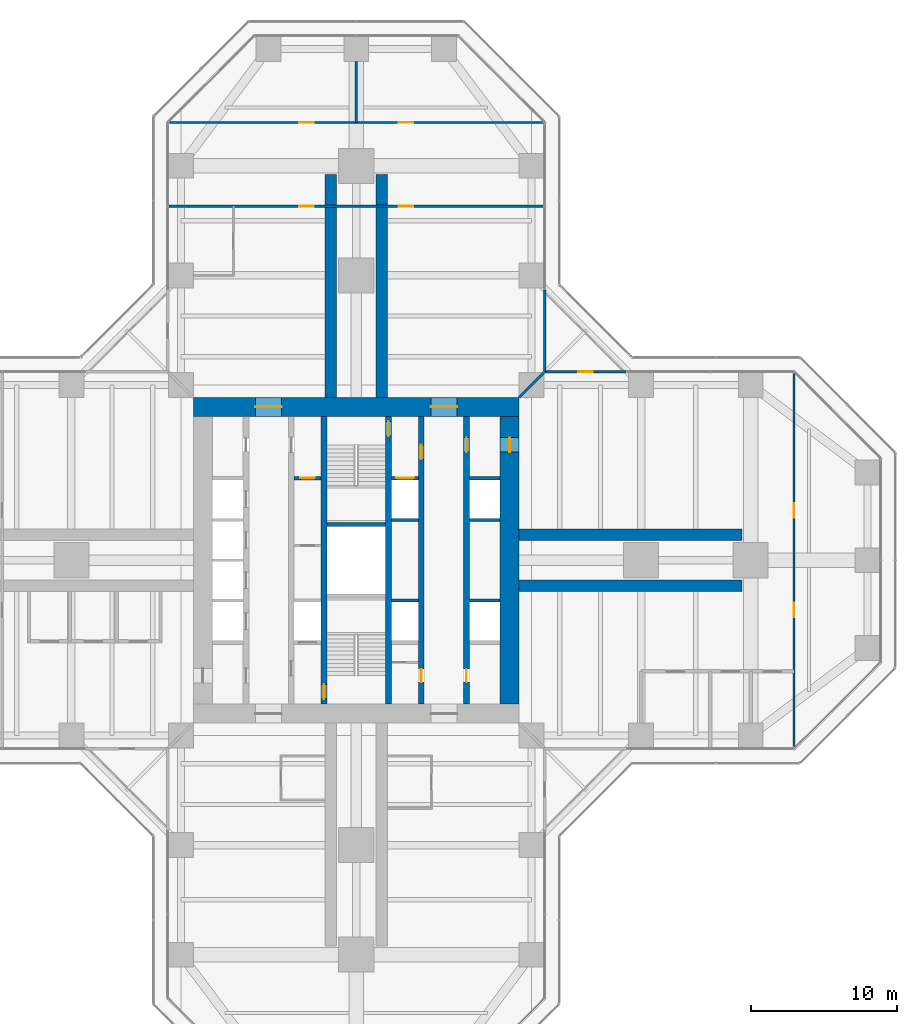
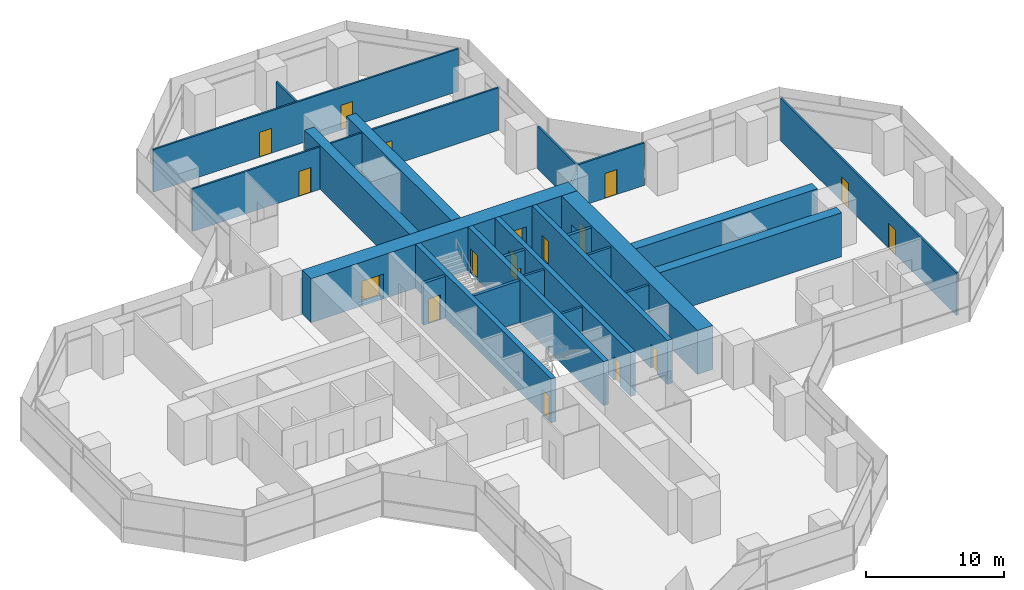
# One storey, part 19 of 22: 25 walls, 18 doors, 18 openings.
"""IFC4 building model written with IfcOpenShell, lengths in metres."""

import ifcopenshell
import ifcopenshell.guid

model = None  # the IFC model being written
_history = None  # IfcOwnerHistory: only IFC2X3 demands one
_inside = {}  # id of a spatial element -> (the spatial element, [elements in it])
_under = {}  # id of a project, library or spatial element -> (it, [spatial elements below it])
_declared = {}  # id of a project -> (the project, [libraries it declares])
_typed = {}  # id of a type object -> (the type object, [elements of that type])
_made_of = {}  # id of a material, layer set ... -> (it, [elements and type objects made of it])


def new_model(schema):
    """Start an empty IFC model of exactly this schema.

    Asked for "IFC4X3", IfcOpenShell would pick the latest addendum, in which some entities
    have other attributes; the version numbers below select the first issue.
    IFC2X3 requires an IfcOwnerHistory on every rooted entity: one is made here for all.
    """
    global model, _history
    if schema == "IFC4X3":
        model = ifcopenshell.file(schema_version=(4, 3, 0, 0))
    else:
        model = ifcopenshell.file(schema=schema)
    _inside.clear()
    _under.clear()
    _declared.clear()
    _typed.clear()
    _made_of.clear()
    _history = None
    if model.schema == "IFC2X3":
        org = make("IfcOrganization", Name="unknown")
        user = make(
            "IfcPersonAndOrganization",
            ThePerson=make("IfcPerson", FamilyName="unknown"),
            TheOrganization=org,
        )
        app = make(
            "IfcApplication",
            ApplicationDeveloper=org,
            Version="unknown",
            ApplicationFullName="unknown",
            ApplicationIdentifier="unknown",
        )
        _history = make(
            "IfcOwnerHistory",
            OwningUser=user,
            OwningApplication=app,
            ChangeAction="ADDED",
            CreationDate=0,
        )
    return model


def make(cls, **values):
    """One entity of the class cls with the attributes given. An attribute that is None is left unset."""
    return model.create_entity(
        cls, **{name: value for name, value in values.items() if value is not None}
    )


def rooted(cls, **values):
    """An entity with a GlobalId (a new one), such as an element, a storey or a relation."""
    return make(cls, GlobalId=ifcopenshell.guid.new(), OwnerHistory=_history, **values)


def si_unit(unit_type, name, prefix=None):
    """IfcSIUnit, for example si_unit("LENGTHUNIT", "METRE", prefix="MILLI")."""
    return make("IfcSIUnit", UnitType=unit_type, Prefix=prefix, Name=name)


def assignment(units):
    """IfcUnitAssignment: the units of a project."""
    return None if units is None else make("IfcUnitAssignment", Units=units)


def point(xyz):
    """IfcCartesianPoint."""
    return None if xyz is None else make("IfcCartesianPoint", Coordinates=xyz)


def direction(xyz):
    """IfcDirection."""
    return None if xyz is None else make("IfcDirection", DirectionRatios=xyz)


def frame(location, z_axis=None, x_axis=None):
    """IfcAxis2Placement3D, a coordinate frame: its origin and axes. An axis left out is left unset."""
    return make(
        "IfcAxis2Placement3D",
        Location=point(location),
        Axis=direction(z_axis),
        RefDirection=direction(x_axis),
    )


def frame_2d(location, x_axis=None):
    """IfcAxis2Placement2D, a coordinate frame in the plane: its origin and x axis."""
    return make(
        "IfcAxis2Placement2D", Location=point(location), RefDirection=direction(x_axis)
    )


def origin():
    """The frame at (0, 0, 0) with its axes left unset."""
    return frame((0.0, 0.0, 0.0))


def place(relative_to, where):
    """IfcLocalPlacement: puts the frame where relative to a parent placement (None: the world)."""
    return make(
        "IfcLocalPlacement", PlacementRelTo=relative_to, RelativePlacement=where
    )


def context(
    kind, dimensions, precision=None, world=None, true_north=None, identifier=None
):
    """IfcGeometricRepresentationContext, for example the 3D "Model" context."""
    return make(
        "IfcGeometricRepresentationContext",
        ContextIdentifier=identifier,
        ContextType=kind,
        CoordinateSpaceDimension=dimensions,
        Precision=precision,
        WorldCoordinateSystem=world,
        TrueNorth=true_north,
    )


def subcontext(parent, identifier, kind, view, scale=None):
    """IfcGeometricRepresentationSubContext, for example "Body" below "Model"."""
    return make(
        "IfcGeometricRepresentationSubContext",
        ContextIdentifier=identifier,
        ContextType=kind,
        ParentContext=parent,
        TargetScale=scale,
        TargetView=view,
    )


def project(units=None, contexts=None):
    """IfcProject with its units and contexts."""
    return rooted(
        "IfcProject",
        Name="project",
        RepresentationContexts=contexts,
        UnitsInContext=assignment(units),
    )


def spatial(cls, under=None, at=None, **own):
    """A site, building, storey or space (cls), placed at a placement, below another one or the project."""
    s = rooted(cls, ObjectPlacement=at, **own)
    if under is not None:
        _under.setdefault(under.id(), (under, []))[1].append(s)
    return s


def profile(cls, at=None, kind="AREA", **sizes):
    """A parametric profile (cls). Its sizes go by their IFC names, for example OverallWidth=200.0."""
    return make(cls, ProfileType=kind, Position=at, **sizes)


def rectangle(**sizes):
    """IfcRectangleProfileDef."""
    return profile("IfcRectangleProfileDef", **sizes)


def extrude(swept, where, along, depth):
    """IfcExtrudedAreaSolid: the profile swept, set in the frame where, extruded along a direction by depth."""
    return make(
        "IfcExtrudedAreaSolid",
        SweptArea=swept,
        Position=where,
        ExtrudedDirection=direction(along),
        Depth=depth,
    )


def shape(context_of_items, identifier, shape_type, items):
    """IfcShapeRepresentation: the items that make up one representation, for example the "Body"."""
    return make(
        "IfcShapeRepresentation",
        ContextOfItems=context_of_items,
        RepresentationIdentifier=identifier,
        RepresentationType=shape_type,
        Items=items,
    )


def material(Name=None, Category=None):
    """IfcMaterial."""
    return make("IfcMaterial", Name=Name, Category=Category)


def layer(
    of_material, thickness, ventilated=None, Name=None, Category=None, Priority=None
):
    """IfcMaterialLayer: one layer of a wall or slab, of a material (None: an air gap)."""
    return make(
        "IfcMaterialLayer",
        Material=of_material,
        LayerThickness=thickness,
        IsVentilated=ventilated,
        Name=Name,
        Category=Category,
        Priority=Priority,
    )


def layer_set(layers, Name=None):
    """IfcMaterialLayerSet."""
    return make("IfcMaterialLayerSet", MaterialLayers=layers, LayerSetName=Name)


def made_of(thing, what):
    """Note that an element or type object is made of a material, layer set ...; save() writes the relation."""
    if what is not None:
        _made_of.setdefault(what.id(), (what, []))[1].append(thing)
    return thing


def type_object(cls, material=None, **own):
    """A type object (cls), such as IfcWallType, which elements share."""
    return made_of(rooted(cls, **own), material)


def element(
    cls,
    number,
    at=None,
    inside=None,
    cuts=None,
    type_object=None,
    material=None,
    context=None,
    identifier="Body",
    shape_type=None,
    held_by="IfcProductDefinitionShape",
    body=None,
    shapes=None,
    **own,
):
    """One element of the class cls, such as IfcWall. Its Tag is "e" and its number.

    at: its placement. inside: the storey or other place that contains it. cuts: it is an
    opening in that element (IfcRelVoidsElement). A single representation is given by context,
    identifier, shape_type and body (its items); several are given by shapes. held_by: the class
    of the entity that holds the representations. save() writes the other relations.
    """
    e = rooted(cls, Tag="e%d" % number, ObjectPlacement=at, **own)
    if body is not None:
        shapes = [shape(context, identifier, shape_type, body)]
    if shapes is not None:
        e.Representation = make(held_by, Representations=shapes)
    if inside is not None:
        _inside.setdefault(inside.id(), (inside, []))[1].append(e)
    if cuts is not None:
        rooted(
            "IfcRelVoidsElement", RelatingBuildingElement=cuts, RelatedOpeningElement=e
        )
    if type_object is not None:
        _typed.setdefault(type_object.id(), (type_object, []))[1].append(e)
    return made_of(e, material)


def fill(opening, filler):
    """IfcRelFillsElement: the door or window that sits in an opening."""
    return rooted(
        "IfcRelFillsElement",
        RelatingOpeningElement=opening,
        RelatedBuildingElement=filler,
    )


def aggregate(whole, parts):
    """IfcRelAggregates: a whole, such as a stair, and the parts it consists of."""
    return rooted("IfcRelAggregates", RelatingObject=whole, RelatedObjects=parts)


def save(model, path):
    """Write the relations noted so far, then the file.

    IfcRelAggregates (storeys below a building ...), IfcRelContainedInSpatialStructure (elements
    in a storey), IfcRelDefinesByType, IfcRelAssociatesMaterial and IfcRelDeclares: one each for
    every whole, place, type object, material and project.
    """
    for whole, parts in _under.values():
        aggregate(whole, parts)
    for where, things in _inside.values():
        rooted(
            "IfcRelContainedInSpatialStructure",
            RelatedElements=things,
            RelatingStructure=where,
        )
    for kind, things in _typed.values():
        rooted("IfcRelDefinesByType", RelatedObjects=things, RelatingType=kind)
    for what, things in _made_of.values():
        rooted("IfcRelAssociatesMaterial", RelatedObjects=things, RelatingMaterial=what)
    for by, libraries in _declared.values():
        rooted("IfcRelDeclares", RelatingContext=by, RelatedDefinitions=libraries)
    model.write(path)


model = new_model("IFC4")

# Units and contexts
model_context = context("Model", 3, precision=1e-05, world=origin(), true_north=direction((0.0, 1.0)))
body_context = subcontext(model_context, "Body", "Model", "MODEL_VIEW")
ifc_project = project(units=[si_unit("LENGTHUNIT", "METRE"), si_unit("AREAUNIT", "SQUARE_METRE"), si_unit("VOLUMEUNIT", "CUBIC_METRE"), si_unit("PLANEANGLEUNIT", "RADIAN"), si_unit("MASSUNIT", "GRAM", prefix="KILO")], contexts=[model_context])

# Site, building, storey
site_placement = place(None, origin())
site = spatial("IfcSite", under=ifc_project, at=site_placement, CompositionType="ELEMENT")
building_placement = place(site_placement, origin())
building = spatial("IfcBuilding", under=site, at=building_placement, Name="Mizan Broadcast Tower", CompositionType="ELEMENT")
storey_placement = place(building_placement, frame((0.0, 0.0, 47.39990234375)))
storey = spatial("IfcBuildingStorey", under=building, at=storey_placement, Name="L08", CompositionType="ELEMENT", Elevation=47.39990234375)

# Wall, openings, doors
ifc_material_1 = material(Name="Concrete C70/85", Category="concrete")
ifc_layer_1 = layer(ifc_material_1, 0.39990234375)
ifc_layer_set_1 = layer_set([ifc_layer_1], Name="Concrete C70/85")
wall_type_1 = type_object("IfcWallType", Name="CORE INTERNAL WALL 400", PredefinedType="SHEAR", material=ifc_layer_set_1)
wall_1_placement = place(storey_placement, frame((7.550048828125, 9.85009765625, 0.0), z_axis=(0.0, 0.0, 1.0), x_axis=(0.0, -1.0, 0.0)))
wall_1 = element("IfcWall", 1, at=wall_1_placement, inside=storey, type_object=wall_type_1, Name="Core wall CORE/XW1E", PredefinedType="SHEAR", context=body_context, shape_type="SweptSolid", body=[
    extrude(rectangle(XDim=19.7001953125, YDim=0.39990234375, at=frame_2d((9.85009765625, 0.0))), origin(), (0.0, 0.0, 1.0), 3.900146484375),
])
opening_1_placement = place(wall_1_placement, frame((1.449951171875, 0.0, 0.0)))
opening_1 = element("IfcOpeningElement", 2, at=opening_1_placement, cuts=wall_1, Name="Opening D10F", PredefinedType="OPENING", context=body_context, shape_type="SweptSolid", body=[
    extrude(rectangle(XDim=1.0, YDim=2.199951171875, at=frame_2d((0.5, 1.10009765625))), frame((0.0, 0.2099609375, 0.0), z_axis=(0.0, -1.0, 0.0), x_axis=(1.0, 0.0, 0.0)), (0.0, 0.0, 1.0), 0.419921875),
])
opening_2_placement = place(wall_1_placement, frame((17.300048828125, 0.0, 0.0)))
opening_2 = element("IfcOpeningElement", 3, at=opening_2_placement, cuts=wall_1, Name="Opening D09", PredefinedType="OPENING", context=body_context, shape_type="SweptSolid", body=[
    extrude(rectangle(XDim=0.89990234375, YDim=2.10009765625, at=frame_2d((0.449951171875, 1.050048828125))), frame((0.0, 0.2099609375, 0.0), z_axis=(0.0, -1.0, 0.0), x_axis=(1.0, 0.0, 0.0)), (0.0, 0.0, 1.0), 0.419921875),
])
ifc_material_2 = material(Name="Steel door leaf in steel frame", Category="steel")
door_type_1 = type_object("IfcDoorType", Name="FIRE DOOR 1000 FD90", OperationType="SINGLE_SWING_LEFT", PredefinedType="DOOR", material=ifc_material_2)
door_1_placement = place(opening_1_placement, origin())
door_1 = element("IfcDoor", 4, at=door_1_placement, inside=storey, type_object=door_type_1, Name="East core passage door", OperationType="SINGLE_SWING_LEFT", OverallHeight=2.199951171875, OverallWidth=1.0, PredefinedType="DOOR", context=body_context, shape_type="SweptSolid", body=[
    extrude(rectangle(XDim=1.0, YDim=2.199951171875, at=frame_2d((0.5, 1.10009765625))), frame((0.0, 0.02490234375, 0.0), z_axis=(0.0, -1.0, 0.0), x_axis=(1.0, 0.0, 0.0)), (0.0, 0.0, 1.0), 0.050048828125),
])
fill(opening_1, door_1)
ifc_material_3 = material(Name="Timber door leaf in aluminium frame", Category="wood")
door_type_2 = type_object("IfcDoorType", Name="TOILET DOOR 900", OperationType="SINGLE_SWING_LEFT", PredefinedType="DOOR", material=ifc_material_3)
door_2_placement = place(opening_2_placement, origin())
door_2 = element("IfcDoor", 5, at=door_2_placement, inside=storey, type_object=door_type_2, Name="Female WC door", OperationType="SINGLE_SWING_RIGHT", OverallHeight=2.10009765625, OverallWidth=0.89990234375, PredefinedType="DOOR", context=body_context, shape_type="SweptSolid", body=[
    extrude(rectangle(XDim=0.89990234375, YDim=2.10009765625, at=frame_2d((0.449951171875, 1.050048828125))), frame((0.0, 0.02490234375, 0.0), z_axis=(0.0, -1.0, 0.0), x_axis=(1.0, 0.0, 0.0)), (0.0, 0.0, 1.0), 0.050048828125),
])
fill(opening_2, door_2)

wall_2_placement = place(storey_placement, frame((4.449951171875, 9.85009765625, 0.0), z_axis=(0.0, 0.0, 1.0), x_axis=(0.0, -1.0, 0.0)))
wall_2 = element("IfcWall", 6, at=wall_2_placement, inside=storey, type_object=wall_type_1, Name="Core wall CORE/XWHE", PredefinedType="SHEAR", context=body_context, shape_type="SweptSolid", body=[
    extrude(rectangle(XDim=19.7001953125, YDim=0.39990234375, at=frame_2d((9.85009765625, 0.0))), origin(), (0.0, 0.0, 1.0), 3.900146484375),
])
opening_3_placement = place(wall_2_placement, frame((1.949951171875, 0.0, 0.0)))
opening_3 = element("IfcOpeningElement", 7, at=opening_3_placement, cuts=wall_2, Name="Opening D10F", PredefinedType="OPENING", context=body_context, shape_type="SweptSolid", body=[
    extrude(rectangle(XDim=1.0, YDim=2.199951171875, at=frame_2d((0.5, 1.10009765625))), frame((0.0, 0.2099609375, 0.0), z_axis=(0.0, -1.0, 0.0), x_axis=(1.0, 0.0, 0.0)), (0.0, 0.0, 1.0), 0.419921875),
])
opening_4_placement = place(wall_2_placement, frame((17.300048828125, 0.0, 0.0)))
opening_4 = element("IfcOpeningElement", 8, at=opening_4_placement, cuts=wall_2, Name="Opening D09", PredefinedType="OPENING", context=body_context, shape_type="SweptSolid", body=[
    extrude(rectangle(XDim=0.89990234375, YDim=2.10009765625, at=frame_2d((0.449951171875, 1.050048828125))), frame((0.0, 0.2099609375, 0.0), z_axis=(0.0, -1.0, 0.0), x_axis=(1.0, 0.0, 0.0)), (0.0, 0.0, 1.0), 0.419921875),
])
door_3_placement = place(opening_3_placement, origin())
door_3 = element("IfcDoor", 9, at=door_3_placement, inside=storey, type_object=door_type_1, Name="Firefighting lobby B door", OperationType="SINGLE_SWING_LEFT", OverallHeight=2.199951171875, OverallWidth=1.0, PredefinedType="DOOR", context=body_context, shape_type="SweptSolid", body=[
    extrude(rectangle(XDim=1.0, YDim=2.199951171875, at=frame_2d((0.5, 1.10009765625))), frame((0.0, 0.02490234375, 0.0), z_axis=(0.0, -1.0, 0.0), x_axis=(1.0, 0.0, 0.0)), (0.0, 0.0, 1.0), 0.050048828125),
])
fill(opening_3, door_3)
door_4_placement = place(opening_4_placement, origin())
door_4 = element("IfcDoor", 10, at=door_4_placement, inside=storey, type_object=door_type_2, Name="Cleaner's store door", OperationType="SINGLE_SWING_RIGHT", OverallHeight=2.10009765625, OverallWidth=0.89990234375, PredefinedType="DOOR", context=body_context, shape_type="SweptSolid", body=[
    extrude(rectangle(XDim=0.89990234375, YDim=2.10009765625, at=frame_2d((0.449951171875, 1.050048828125))), frame((0.0, 0.02490234375, 0.0), z_axis=(0.0, -1.0, 0.0), x_axis=(1.0, 0.0, 0.0)), (0.0, 0.0, 1.0), 0.050048828125),
])
fill(opening_4, door_4)

# Wall, opening, door
wall_3_placement = place(storey_placement, frame((-2.199951171875, -9.85009765625, 0.0), z_axis=(0.0, 0.0, 1.0), x_axis=(0.0, 1.0, 0.0)))
wall_3 = element("IfcWall", 11, at=wall_3_placement, inside=storey, type_object=wall_type_1, Name="Core wall CORE/XW2", PredefinedType="SHEAR", context=body_context, shape_type="SweptSolid", body=[
    extrude(rectangle(XDim=19.7001953125, YDim=0.39990234375, at=frame_2d((9.85009765625, 0.0))), origin(), (0.0, 0.0, 1.0), 3.900146484375),
])
opening_5_placement = place(wall_3_placement, frame((0.35009765625, 0.0, 0.0)))
opening_5 = element("IfcOpeningElement", 12, at=opening_5_placement, cuts=wall_3, Name="Opening D10S", PredefinedType="OPENING", context=body_context, shape_type="SweptSolid", body=[
    extrude(rectangle(XDim=1.0, YDim=2.199951171875, at=frame_2d((0.5, 1.10009765625))), frame((0.0, 0.2099609375, 0.0), z_axis=(0.0, -1.0, 0.0), x_axis=(1.0, 0.0, 0.0)), (0.0, 0.0, 1.0), 0.419921875),
])
ifc_material_4 = material(Name="Steel door leaf in steel frame", Category="steel")
door_type_3 = type_object("IfcDoorType", Name="STAIR DOOR 1000 FD90S", OperationType="SINGLE_SWING_RIGHT", PredefinedType="DOOR", material=ifc_material_4)
door_5_placement = place(opening_5_placement, origin())
door_5 = element("IfcDoor", 13, at=door_5_placement, inside=storey, type_object=door_type_3, Name="Stair A door", OperationType="SINGLE_SWING_RIGHT", OverallHeight=2.199951171875, OverallWidth=1.0, PredefinedType="DOOR", context=body_context, shape_type="SweptSolid", body=[
    extrude(rectangle(XDim=1.0, YDim=2.199951171875, at=frame_2d((0.5, 1.10009765625))), frame((0.0, 0.02490234375, 0.0), z_axis=(0.0, -1.0, 0.0), x_axis=(1.0, 0.0, 0.0)), (0.0, 0.0, 1.0), 0.050048828125),
])
fill(opening_5, door_5)

wall_4_placement = place(storey_placement, frame((2.199951171875, 9.85009765625, 0.0), z_axis=(0.0, 0.0, 1.0), x_axis=(0.0, -1.0, 0.0)))
wall_4 = element("IfcWall", 14, at=wall_4_placement, inside=storey, type_object=wall_type_1, Name="Core wall CORE/XW2E", PredefinedType="SHEAR", context=body_context, shape_type="SweptSolid", body=[
    extrude(rectangle(XDim=19.7001953125, YDim=0.39990234375, at=frame_2d((9.85009765625, 0.0))), origin(), (0.0, 0.0, 1.0), 3.900146484375),
])
opening_6_placement = place(wall_4_placement, frame((0.35009765625, 0.0, 0.0)))
opening_6 = element("IfcOpeningElement", 15, at=opening_6_placement, cuts=wall_4, Name="Opening D10S", PredefinedType="OPENING", context=body_context, shape_type="SweptSolid", body=[
    extrude(rectangle(XDim=1.0, YDim=2.199951171875, at=frame_2d((0.5, 1.10009765625))), frame((0.0, 0.2099609375, 0.0), z_axis=(0.0, -1.0, 0.0), x_axis=(1.0, 0.0, 0.0)), (0.0, 0.0, 1.0), 0.419921875),
])
door_6_placement = place(opening_6_placement, origin())
door_6 = element("IfcDoor", 16, at=door_6_placement, inside=storey, type_object=door_type_3, Name="Stair B door", OperationType="SINGLE_SWING_RIGHT", OverallHeight=2.199951171875, OverallWidth=1.0, PredefinedType="DOOR", context=body_context, shape_type="SweptSolid", body=[
    extrude(rectangle(XDim=1.0, YDim=2.199951171875, at=frame_2d((0.5, 1.10009765625))), frame((0.0, 0.02490234375, 0.0), z_axis=(0.0, -1.0, 0.0), x_axis=(1.0, 0.0, 0.0)), (0.0, 0.0, 1.0), 0.050048828125),
])
fill(opening_6, door_6)

# Wall, openings, doors
ifc_material_5 = material(Name="Concrete C70/85", Category="concrete")
ifc_layer_2 = layer(ifc_material_5, 1.300048828125)
ifc_layer_set_2 = layer_set([ifc_layer_2], Name="Concrete C70/85")
wall_type_2 = type_object("IfcWallType", Name="CORE WALL 1300", PredefinedType="SHEAR", material=ifc_layer_set_2)
wall_5_placement = place(storey_placement, frame((-11.14990234375, 10.5, 0.0), z_axis=(0.0, 0.0, 1.0), x_axis=(1.0, 0.0, 0.0)))
wall_5 = element("IfcWall", 17, at=wall_5_placement, inside=storey, type_object=wall_type_2, Name="Core wall N L08", PredefinedType="SHEAR", context=body_context, shape_type="SweptSolid", body=[
    extrude(rectangle(XDim=22.2998046875, YDim=1.300048828125, at=frame_2d((11.14990234375, 0.0))), origin(), (0.0, 0.0, 1.0), 3.900146484375),
])
opening_7_placement = place(wall_5_placement, frame((4.25, 0.0, 0.0)))
opening_7 = element("IfcOpeningElement", 18, at=opening_7_placement, cuts=wall_5, Name="Opening D18F", PredefinedType="OPENING", context=body_context, shape_type="SweptSolid", body=[
    extrude(rectangle(XDim=1.800048828125, YDim=2.199951171875, at=frame_2d((0.89990234375, 1.10009765625))), frame((0.0, 0.659912109375, 0.0), z_axis=(0.0, -1.0, 0.0), x_axis=(1.0, 0.0, 0.0)), (0.0, 0.0, 1.0), 1.320068359375),
])
opening_8_placement = place(wall_5_placement, frame((16.25, 0.0, 0.0)))
opening_8 = element("IfcOpeningElement", 19, at=opening_8_placement, cuts=wall_5, Name="Opening D18F", PredefinedType="OPENING", context=body_context, shape_type="SweptSolid", body=[
    extrude(rectangle(XDim=1.800048828125, YDim=2.199951171875, at=frame_2d((0.89990234375, 1.10009765625))), frame((0.0, 0.659912109375, 0.0), z_axis=(0.0, -1.0, 0.0), x_axis=(1.0, 0.0, 0.0)), (0.0, 0.0, 1.0), 1.320068359375),
])
ifc_material_6 = material(Name="Steel door leaf in steel frame", Category="steel")
door_type_4 = type_object("IfcDoorType", Name="LOBBY DOUBLE DOOR 1800 FD90", OperationType="DOUBLE_DOOR_DOUBLE_SWING", PredefinedType="DOOR", material=ifc_material_6)
door_7_placement = place(opening_7_placement, origin())
door_7 = element("IfcDoor", 20, at=door_7_placement, inside=storey, type_object=door_type_4, Name="West lift lobby north door", OperationType="DOUBLE_DOOR_DOUBLE_SWING", OverallHeight=2.199951171875, OverallWidth=1.800048828125, PredefinedType="DOOR", context=body_context, shape_type="SweptSolid", body=[
    extrude(rectangle(XDim=1.800048828125, YDim=2.199951171875, at=frame_2d((0.89990234375, 1.10009765625))), frame((0.0, 0.02490234375, 0.0), z_axis=(0.0, -1.0, 0.0), x_axis=(1.0, 0.0, 0.0)), (0.0, 0.0, 1.0), 0.050048828125),
])
fill(opening_7, door_7)
door_8_placement = place(opening_8_placement, origin())
door_8 = element("IfcDoor", 21, at=door_8_placement, inside=storey, type_object=door_type_4, Name="East lift lobby north door", OperationType="DOUBLE_DOOR_DOUBLE_SWING", OverallHeight=2.199951171875, OverallWidth=1.800048828125, PredefinedType="DOOR", context=body_context, shape_type="SweptSolid", body=[
    extrude(rectangle(XDim=1.800048828125, YDim=2.199951171875, at=frame_2d((0.89990234375, 1.10009765625))), frame((0.0, 0.02490234375, 0.0), z_axis=(0.0, -1.0, 0.0), x_axis=(1.0, 0.0, 0.0)), (0.0, 0.0, 1.0), 0.050048828125),
])
fill(opening_8, door_8)

# Wall, opening, door
wall_6_placement = place(storey_placement, frame((10.5, -9.85009765625, 0.0), z_axis=(0.0, 0.0, 1.0), x_axis=(0.0, 1.0, 0.0)))
wall_6 = element("IfcWall", 22, at=wall_6_placement, inside=storey, type_object=wall_type_2, Name="Core wall E L08", PredefinedType="SHEAR", context=body_context, shape_type="SweptSolid", body=[
    extrude(rectangle(XDim=19.7001953125, YDim=1.300048828125, at=frame_2d((9.85009765625, 0.0))), origin(), (0.0, 0.0, 1.0), 3.900146484375),
])
opening_9_placement = place(wall_6_placement, frame((17.25, 0.0, 0.0)))
opening_9 = element("IfcOpeningElement", 23, at=opening_9_placement, cuts=wall_6, Name="Opening D10F", PredefinedType="OPENING", context=body_context, shape_type="SweptSolid", body=[
    extrude(rectangle(XDim=1.0, YDim=2.199951171875, at=frame_2d((0.5, 1.10009765625))), frame((0.0, 0.659912109375, 0.0), z_axis=(0.0, -1.0, 0.0), x_axis=(1.0, 0.0, 0.0)), (0.0, 0.0, 1.0), 1.320068359375),
])
door_9_placement = place(opening_9_placement, origin())
door_9 = element("IfcDoor", 24, at=door_9_placement, inside=storey, type_object=door_type_1, Name="East core passage arm door", OperationType="SINGLE_SWING_RIGHT", OverallHeight=2.199951171875, OverallWidth=1.0, PredefinedType="DOOR", context=body_context, shape_type="SweptSolid", body=[
    extrude(rectangle(XDim=1.0, YDim=2.199951171875, at=frame_2d((0.5, 1.10009765625))), frame((0.0, 0.02490234375, 0.0), z_axis=(0.0, -1.0, 0.0), x_axis=(1.0, 0.0, 0.0)), (0.0, 0.0, 1.0), 0.050048828125),
])
fill(opening_9, door_9)

ifc_material_7 = material(Name="Aluminium framed glazed screen", Category="aluminium")
ifc_layer_3 = layer(ifc_material_7, 0.159912109375)
ifc_layer_set_3 = layer_set([ifc_layer_3], Name="Aluminium framed glazed screen")
wall_type_3 = type_object("IfcWallType", Name="GLAZED SCREEN WALL 160", PredefinedType="SOLIDWALL", material=ifc_layer_set_3)
wall_7_placement = place(storey_placement, frame((18.5, 12.89990234375, 0.0), z_axis=(0.0, 0.0, 1.0), x_axis=(-1.0, 0.0, 0.0)))
wall_7 = element("IfcWall", 25, at=wall_7_placement, inside=storey, type_object=wall_type_3, Name="Winter garden screen L08 E", PredefinedType="SOLIDWALL", context=body_context, shape_type="SweptSolid", body=[
    extrude(rectangle(XDim=5.60009765625, YDim=0.159912109375, at=frame_2d((2.800048828125, 0.0))), origin(), (0.0, 0.0, 1.0), 3.77001953125),
])
opening_10_placement = place(wall_7_placement, frame((2.300048828125, 0.0, 0.0)))
opening_10 = element("IfcOpeningElement", 26, at=opening_10_placement, cuts=wall_7, Name="Opening WGD", PredefinedType="OPENING", context=body_context, shape_type="SweptSolid", body=[
    extrude(rectangle(XDim=1.0, YDim=2.199951171875, at=frame_2d((0.5, 1.10009765625))), frame((0.0, 0.08984375, 0.0), z_axis=(0.0, -1.0, 0.0), x_axis=(1.0, 0.0, 0.0)), (0.0, 0.0, 1.0), 0.179931640625),
])
ifc_material_8 = material(Name="Aluminium framed glazed door", Category="aluminium")
door_type_5 = type_object("IfcDoorType", Name="WINTER GARDEN DOOR 1000 GLAZED", OperationType="SINGLE_SWING_LEFT", PredefinedType="DOOR", material=ifc_material_8)
door_10_placement = place(opening_10_placement, origin())
door_10 = element("IfcDoor", 27, at=door_10_placement, inside=storey, type_object=door_type_5, Name="Winter garden door L08 E", OperationType="SINGLE_SWING_RIGHT", OverallHeight=2.199951171875, OverallWidth=1.0, PredefinedType="DOOR", context=body_context, shape_type="SweptSolid", body=[
    extrude(rectangle(XDim=1.0, YDim=2.199951171875, at=frame_2d((0.5, 1.10009765625))), frame((0.0, 0.02490234375, 0.0), z_axis=(0.0, -1.0, 0.0), x_axis=(1.0, 0.0, 0.0)), (0.0, 0.0, 1.0), 0.050048828125),
])
fill(opening_10, door_10)

# Walls
wall_8_placement = place(storey_placement, frame((12.89990234375, 12.89990234375, 0.0), z_axis=(0.0, 0.0, 1.0), x_axis=(0.0, 1.0, 0.0)))
element("IfcWall", 28, at=wall_8_placement, inside=storey, type_object=wall_type_3, Name="Winter garden screen L08 N", PredefinedType="SOLIDWALL", context=body_context, shape_type="SweptSolid", body=[
    extrude(rectangle(XDim=5.60009765625, YDim=0.159912109375, at=frame_2d((2.800048828125, 0.0))), origin(), (0.0, 0.0, 1.0), 3.77001953125),
])
ifc_material_9 = material(Name="Concrete blockwork", Category="masonry")
ifc_layer_4 = layer(ifc_material_9, 0.199951171875)
ifc_layer_set_4 = layer_set([ifc_layer_4], Name="Concrete blockwork")
wall_type_4 = type_object("IfcWallType", Name="LIFT SHAFT WALL 200", PredefinedType="SOLIDWALL", material=ifc_layer_set_4)
wall_9_placement = place(storey_placement, frame((2.39990234375, -2.75, 0.0), z_axis=(0.0, 0.0, 1.0), x_axis=(1.0, 0.0, 0.0)))
element("IfcWall", 29, at=wall_9_placement, inside=storey, type_object=wall_type_4, Name="Lift shaft wall CORE/SE2-1", PredefinedType="SOLIDWALL", context=body_context, shape_type="SweptSolid", body=[
    extrude(rectangle(XDim=1.85009765625, YDim=0.199951171875, at=frame_2d((0.925048828125, 0.0))), origin(), (0.0, 0.0, 1.0), 3.7001953125),
])
wall_10_placement = place(storey_placement, frame((7.75, -2.75, 0.0), z_axis=(0.0, 0.0, 1.0), x_axis=(1.0, 0.0, 0.0)))
element("IfcWall", 30, at=wall_10_placement, inside=storey, type_object=wall_type_4, Name="Lift shaft wall CORE/SE1-1", PredefinedType="SOLIDWALL", context=body_context, shape_type="SweptSolid", body=[
    extrude(rectangle(XDim=2.10009765625, YDim=0.199951171875, at=frame_2d((1.050048828125, 0.0))), origin(), (0.0, 0.0, 1.0), 3.7001953125),
])
wall_11_placement = place(storey_placement, frame((2.39990234375, 2.75, 0.0), z_axis=(0.0, 0.0, 1.0), x_axis=(1.0, 0.0, 0.0)))
element("IfcWall", 31, at=wall_11_placement, inside=storey, type_object=wall_type_4, Name="Lift shaft wall CORE/SE2-3", PredefinedType="SOLIDWALL", context=body_context, shape_type="SweptSolid", body=[
    extrude(rectangle(XDim=1.85009765625, YDim=0.199951171875, at=frame_2d((0.925048828125, 0.0))), origin(), (0.0, 0.0, 1.0), 3.7001953125),
])
wall_12_placement = place(storey_placement, frame((7.75, 2.75, 0.0), z_axis=(0.0, 0.0, 1.0), x_axis=(1.0, 0.0, 0.0)))
element("IfcWall", 32, at=wall_12_placement, inside=storey, type_object=wall_type_4, Name="Lift shaft wall CORE/SE1-3", PredefinedType="SOLIDWALL", context=body_context, shape_type="SweptSolid", body=[
    extrude(rectangle(XDim=2.10009765625, YDim=0.199951171875, at=frame_2d((1.050048828125, 0.0))), origin(), (0.0, 0.0, 1.0), 3.7001953125),
])

# Wall, opening, door
ifc_material_10 = material(Name="Concrete blockwork", Category="masonry")
ifc_layer_5 = layer(ifc_material_10, 0.25)
ifc_layer_set_5 = layer_set([ifc_layer_5], Name="Concrete blockwork")
wall_type_5 = type_object("IfcWallType", Name="LOBBY ENCLOSURE WALL 250", PredefinedType="SOLIDWALL", material=ifc_layer_set_5)
wall_13_placement = place(storey_placement, frame((-4.25, 5.625, 0.0), z_axis=(0.0, 0.0, 1.0), x_axis=(1.0, 0.0, 0.0)))
wall_13 = element("IfcWall", 33, at=wall_13_placement, inside=storey, type_object=wall_type_5, Name="Lobby enclosure wall CORE/BW2N", PredefinedType="SOLIDWALL", context=body_context, shape_type="SweptSolid", body=[
    extrude(rectangle(XDim=1.85009765625, YDim=0.25, at=frame_2d((0.925048828125, 0.0))), origin(), (0.0, 0.0, 1.0), 3.7001953125),
])
opening_11_placement = place(wall_13_placement, frame((0.425048828125, 0.0, 0.0)))
opening_11 = element("IfcOpeningElement", 34, at=opening_11_placement, cuts=wall_13, Name="Opening D10F", PredefinedType="OPENING", context=body_context, shape_type="SweptSolid", body=[
    extrude(rectangle(XDim=1.0, YDim=2.199951171875, at=frame_2d((0.5, 1.10009765625))), frame((0.0, 0.135009765625, 0.0), z_axis=(0.0, -1.0, 0.0), x_axis=(1.0, 0.0, 0.0)), (0.0, 0.0, 1.0), 0.27001953125),
])
door_11_placement = place(opening_11_placement, origin())
door_11 = element("IfcDoor", 35, at=door_11_placement, inside=storey, type_object=door_type_1, Name="Accessible shower room door", OperationType="SINGLE_SWING_RIGHT", OverallHeight=2.199951171875, OverallWidth=1.0, PredefinedType="DOOR", context=body_context, shape_type="SweptSolid", body=[
    extrude(rectangle(XDim=1.0, YDim=2.199951171875, at=frame_2d((0.5, 1.10009765625))), frame((0.0, 0.02490234375, 0.0), z_axis=(0.0, -1.0, 0.0), x_axis=(1.0, 0.0, 0.0)), (0.0, 0.0, 1.0), 0.050048828125),
])
fill(opening_11, door_11)

wall_14_placement = place(storey_placement, frame((2.39990234375, 5.625, 0.0), z_axis=(0.0, 0.0, 1.0), x_axis=(1.0, 0.0, 0.0)))
wall_14 = element("IfcWall", 36, at=wall_14_placement, inside=storey, type_object=wall_type_5, Name="Lobby enclosure wall CORE/BE2N", PredefinedType="SOLIDWALL", context=body_context, shape_type="SweptSolid", body=[
    extrude(rectangle(XDim=1.85009765625, YDim=0.25, at=frame_2d((0.925048828125, 0.0))), origin(), (0.0, 0.0, 1.0), 3.7001953125),
])
opening_12_placement = place(wall_14_placement, frame((0.324951171875, 0.0, 0.0)))
opening_12 = element("IfcOpeningElement", 37, at=opening_12_placement, cuts=wall_14, Name="Opening LDF", PredefinedType="OPENING", context=body_context, shape_type="SweptSolid", body=[
    extrude(rectangle(XDim=1.199951171875, YDim=2.199951171875, at=frame_2d((0.60009765625, 1.10009765625))), frame((0.0, 0.135009765625, 0.0), z_axis=(0.0, -1.0, 0.0), x_axis=(1.0, 0.0, 0.0)), (0.0, 0.0, 1.0), 0.27001953125),
])
ifc_material_11 = material(Name="Steel door leaf in steel frame", Category="steel")
door_type_6 = type_object("IfcDoorType", Name="FIREFIGHTING LIFT LANDING DOOR 1200", OperationType="SLIDING_TO_LEFT", PredefinedType="DOOR", material=ifc_material_11)
door_12_placement = place(opening_12_placement, origin())
door_12 = element("IfcDoor", 38, at=door_12_placement, inside=storey, type_object=door_type_6, Name="Landing door FF2", OperationType="SLIDING_TO_LEFT", OverallHeight=2.199951171875, OverallWidth=1.199951171875, PredefinedType="DOOR", context=body_context, shape_type="SweptSolid", body=[
    extrude(rectangle(XDim=1.199951171875, YDim=2.199951171875, at=frame_2d((0.60009765625, 1.10009765625))), frame((0.0, 0.02490234375, 0.0), z_axis=(0.0, -1.0, 0.0), x_axis=(1.0, 0.0, 0.0)), (0.0, 0.0, 1.0), 0.050048828125),
])
fill(opening_12, door_12)

# Walls
wall_15_placement = place(storey_placement, frame((7.75, 5.625, 0.0), z_axis=(0.0, 0.0, 1.0), x_axis=(1.0, 0.0, 0.0)))
element("IfcWall", 39, at=wall_15_placement, inside=storey, type_object=wall_type_5, Name="Lobby enclosure wall CORE/BE1N", PredefinedType="SOLIDWALL", context=body_context, shape_type="SweptSolid", body=[
    extrude(rectangle(XDim=2.10009765625, YDim=0.25, at=frame_2d((1.050048828125, 0.0))), origin(), (0.0, 0.0, 1.0), 3.7001953125),
])
wall_16_placement = place(storey_placement, frame((-2.0, 2.449951171875, 0.0), z_axis=(0.0, 0.0, 1.0), x_axis=(1.0, 0.0, 0.0)))
element("IfcWall", 40, at=wall_16_placement, inside=storey, type_object=wall_type_5, Name="Lobby enclosure wall CORE/STB", PredefinedType="SOLIDWALL", context=body_context, shape_type="SweptSolid", body=[
    extrude(rectangle(XDim=4.0, YDim=0.25, at=frame_2d((2.0, 0.0))), origin(), (0.0, 0.0, 1.0), 3.7001953125),
])

# Wall, openings, doors
ifc_material_12 = material(Name="Gypsum board on steel studs", Category="steel")
ifc_layer_6 = layer(ifc_material_12, 0.14990234375)
ifc_layer_set_6 = layer_set([ifc_layer_6], Name="Gypsum board on steel studs")
wall_type_6 = type_object("IfcWallType", Name="PARTITION 150", PredefinedType="PARTITIONING", material=ifc_layer_set_6)
wall_17_placement = place(storey_placement, frame((29.958984375, -12.786376953125, 0.0), z_axis=(0.0, 0.0, 1.0), x_axis=(0.0, 1.0, 0.0)))
wall_17 = element("IfcWall", 41, at=wall_17_placement, inside=storey, type_object=wall_type_6, Name="Partition PT/EX1", PredefinedType="PARTITIONING", context=body_context, shape_type="SweptSolid", body=[
    extrude(rectangle(XDim=25.57275390625, YDim=0.14990234375, at=frame_2d((12.786376953125, 0.0))), origin(), (0.0, 0.0, 1.0), 3.77001953125),
])
opening_13_placement = place(wall_17_placement, frame((15.6865234375, 0.0, 0.0)))
opening_13 = element("IfcOpeningElement", 42, at=opening_13_placement, cuts=wall_17, Name="Opening D10", PredefinedType="OPENING", context=body_context, shape_type="SweptSolid", body=[
    extrude(rectangle(XDim=1.0, YDim=2.199951171875, at=frame_2d((0.5, 1.10009765625))), frame((0.0, 0.0849609375, 0.0), z_axis=(0.0, -1.0, 0.0), x_axis=(1.0, 0.0, 0.0)), (0.0, 0.0, 1.0), 0.169921875),
])
opening_14_placement = place(wall_17_placement, frame((8.886474609375, 0.0, 0.0)))
opening_14 = element("IfcOpeningElement", 43, at=opening_14_placement, cuts=wall_17, Name="Opening D10", PredefinedType="OPENING", context=body_context, shape_type="SweptSolid", body=[
    extrude(rectangle(XDim=1.0, YDim=2.199951171875, at=frame_2d((0.5, 1.10009765625))), frame((0.0, 0.0849609375, 0.0), z_axis=(0.0, -1.0, 0.0), x_axis=(1.0, 0.0, 0.0)), (0.0, 0.0, 1.0), 0.169921875),
])
ifc_material_13 = material(Name="Timber door leaf in aluminium frame", Category="wood")
door_type_7 = type_object("IfcDoorType", Name="ROOM DOOR 1000", OperationType="SINGLE_SWING_LEFT", PredefinedType="DOOR", material=ifc_material_13)
door_13_placement = place(opening_13_placement, origin())
door_13 = element("IfcDoor", 44, at=door_13_placement, inside=storey, type_object=door_type_7, Name="News planning room door", OperationType="SINGLE_SWING_RIGHT", OverallHeight=2.199951171875, OverallWidth=1.0, PredefinedType="DOOR", context=body_context, shape_type="SweptSolid", body=[
    extrude(rectangle(XDim=1.0, YDim=2.199951171875, at=frame_2d((0.5, 1.10009765625))), frame((0.0, 0.02490234375, 0.0), z_axis=(0.0, -1.0, 0.0), x_axis=(1.0, 0.0, 0.0)), (0.0, 0.0, 1.0), 0.050048828125),
])
fill(opening_13, door_13)
door_14_placement = place(opening_14_placement, origin())
door_14 = element("IfcDoor", 45, at=door_14_placement, inside=storey, type_object=door_type_7, Name="News planning room door", OperationType="SINGLE_SWING_LEFT", OverallHeight=2.199951171875, OverallWidth=1.0, PredefinedType="DOOR", context=body_context, shape_type="SweptSolid", body=[
    extrude(rectangle(XDim=1.0, YDim=2.199951171875, at=frame_2d((0.5, 1.10009765625))), frame((0.0, 0.02490234375, 0.0), z_axis=(0.0, -1.0, 0.0), x_axis=(1.0, 0.0, 0.0)), (0.0, 0.0, 1.0), 0.050048828125),
])
fill(opening_14, door_14)

wall_18_placement = place(storey_placement, frame((12.820068359375, 24.22900390625, 0.0), z_axis=(0.0, 0.0, 1.0), x_axis=(-1.0, 0.0, 0.0)))
wall_18 = element("IfcWall", 46, at=wall_18_placement, inside=storey, type_object=wall_type_6, Name="Partition PT/NX1", PredefinedType="PARTITIONING", context=body_context, shape_type="SweptSolid", body=[
    extrude(rectangle(XDim=25.64013671875, YDim=0.14990234375, at=frame_2d((12.820068359375, 0.0))), origin(), (0.0, 0.0, 1.0), 3.77001953125),
])
opening_15_placement = place(wall_18_placement, frame((15.719970703125, 0.0, 0.0)))
opening_15 = element("IfcOpeningElement", 47, at=opening_15_placement, cuts=wall_18, Name="Opening D10", PredefinedType="OPENING", context=body_context, shape_type="SweptSolid", body=[
    extrude(rectangle(XDim=1.0, YDim=2.199951171875, at=frame_2d((0.5, 1.10009765625))), frame((0.0, 0.0849609375, 0.0), z_axis=(0.0, -1.0, 0.0), x_axis=(1.0, 0.0, 0.0)), (0.0, 0.0, 1.0), 0.169921875),
])
opening_16_placement = place(wall_18_placement, frame((8.919921875, 0.0, 0.0)))
opening_16 = element("IfcOpeningElement", 48, at=opening_16_placement, cuts=wall_18, Name="Opening D10", PredefinedType="OPENING", context=body_context, shape_type="SweptSolid", body=[
    extrude(rectangle(XDim=1.0, YDim=2.199951171875, at=frame_2d((0.5, 1.10009765625))), frame((0.0, 0.0849609375, 0.0), z_axis=(0.0, -1.0, 0.0), x_axis=(1.0, 0.0, 0.0)), (0.0, 0.0, 1.0), 0.169921875),
])
door_15_placement = place(opening_15_placement, origin())
door_15 = element("IfcDoor", 49, at=door_15_placement, inside=storey, type_object=door_type_7, Name="Open office door", OperationType="SINGLE_SWING_RIGHT", OverallHeight=2.199951171875, OverallWidth=1.0, PredefinedType="DOOR", context=body_context, shape_type="SweptSolid", body=[
    extrude(rectangle(XDim=1.0, YDim=2.199951171875, at=frame_2d((0.5, 1.10009765625))), frame((0.0, 0.02490234375, 0.0), z_axis=(0.0, -1.0, 0.0), x_axis=(1.0, 0.0, 0.0)), (0.0, 0.0, 1.0), 0.050048828125),
])
fill(opening_15, door_15)
door_16_placement = place(opening_16_placement, origin())
door_16 = element("IfcDoor", 50, at=door_16_placement, inside=storey, type_object=door_type_7, Name="Open office door", OperationType="SINGLE_SWING_LEFT", OverallHeight=2.199951171875, OverallWidth=1.0, PredefinedType="DOOR", context=body_context, shape_type="SweptSolid", body=[
    extrude(rectangle(XDim=1.0, YDim=2.199951171875, at=frame_2d((0.5, 1.10009765625))), frame((0.0, 0.02490234375, 0.0), z_axis=(0.0, -1.0, 0.0), x_axis=(1.0, 0.0, 0.0)), (0.0, 0.0, 1.0), 0.050048828125),
])
fill(opening_16, door_16)

wall_19_placement = place(storey_placement, frame((12.786376953125, 29.958984375, 0.0), z_axis=(0.0, 0.0, 1.0), x_axis=(-1.0, 0.0, 0.0)))
wall_19 = element("IfcWall", 51, at=wall_19_placement, inside=storey, type_object=wall_type_6, Name="Partition PT/NX2", PredefinedType="PARTITIONING", context=body_context, shape_type="SweptSolid", body=[
    extrude(rectangle(XDim=25.57275390625, YDim=0.14990234375, at=frame_2d((12.786376953125, 0.0))), origin(), (0.0, 0.0, 1.0), 3.77001953125),
])
opening_17_placement = place(wall_19_placement, frame((15.6865234375, 0.0, 0.0)))
opening_17 = element("IfcOpeningElement", 52, at=opening_17_placement, cuts=wall_19, Name="Opening D10", PredefinedType="OPENING", context=body_context, shape_type="SweptSolid", body=[
    extrude(rectangle(XDim=1.0, YDim=2.199951171875, at=frame_2d((0.5, 1.10009765625))), frame((0.0, 0.0849609375, 0.0), z_axis=(0.0, -1.0, 0.0), x_axis=(1.0, 0.0, 0.0)), (0.0, 0.0, 1.0), 0.169921875),
])
opening_18_placement = place(wall_19_placement, frame((8.886474609375, 0.0, 0.0)))
opening_18 = element("IfcOpeningElement", 53, at=opening_18_placement, cuts=wall_19, Name="Opening D10", PredefinedType="OPENING", context=body_context, shape_type="SweptSolid", body=[
    extrude(rectangle(XDim=1.0, YDim=2.199951171875, at=frame_2d((0.5, 1.10009765625))), frame((0.0, 0.0849609375, 0.0), z_axis=(0.0, -1.0, 0.0), x_axis=(1.0, 0.0, 0.0)), (0.0, 0.0, 1.0), 0.169921875),
])
door_17_placement = place(opening_17_placement, origin())
door_17 = element("IfcDoor", 54, at=door_17_placement, inside=storey, type_object=door_type_7, Name="Open office door", OperationType="SINGLE_SWING_RIGHT", OverallHeight=2.199951171875, OverallWidth=1.0, PredefinedType="DOOR", context=body_context, shape_type="SweptSolid", body=[
    extrude(rectangle(XDim=1.0, YDim=2.199951171875, at=frame_2d((0.5, 1.10009765625))), frame((0.0, 0.02490234375, 0.0), z_axis=(0.0, -1.0, 0.0), x_axis=(1.0, 0.0, 0.0)), (0.0, 0.0, 1.0), 0.050048828125),
])
fill(opening_17, door_17)
door_18_placement = place(opening_18_placement, origin())
door_18 = element("IfcDoor", 55, at=door_18_placement, inside=storey, type_object=door_type_7, Name="Open office door", OperationType="SINGLE_SWING_LEFT", OverallHeight=2.199951171875, OverallWidth=1.0, PredefinedType="DOOR", context=body_context, shape_type="SweptSolid", body=[
    extrude(rectangle(XDim=1.0, YDim=2.199951171875, at=frame_2d((0.5, 1.10009765625))), frame((0.0, 0.02490234375, 0.0), z_axis=(0.0, -1.0, 0.0), x_axis=(1.0, 0.0, 0.0)), (0.0, 0.0, 1.0), 0.050048828125),
])
fill(opening_18, door_18)

# Walls
wall_20_placement = place(storey_placement, frame((0.0, 29.958984375, 0.0), z_axis=(0.0, 0.0, 1.0), x_axis=(0.0, 1.0, 0.0)))
element("IfcWall", 56, at=wall_20_placement, inside=storey, type_object=wall_type_6, Name="Partition PT/NES", PredefinedType="PARTITIONING", context=body_context, shape_type="SweptSolid", body=[
    extrude(rectangle(XDim=4.19091796875, YDim=0.14990234375, at=frame_2d((2.095458984375, 0.0))), origin(), (0.0, 0.0, 1.0), 2.77001953125),
])
wall_21_placement = place(storey_placement, frame((11.14990234375, 11.14990234375, 0.0), z_axis=(0.0, 0.0, 1.0), x_axis=(0.707106781187, 0.707106781187, 0.0)))
element("IfcWall", 57, at=wall_21_placement, inside=storey, type_object=wall_type_6, Name="Partition PT/DGEN", PredefinedType="PARTITIONING", context=body_context, shape_type="SweptSolid", body=[
    extrude(rectangle(XDim=2.362060546875, YDim=0.14990234375, at=frame_2d((1.18115234375, 0.0))), origin(), (0.0, 0.0, 1.0), 3.22021484375),
])
ifc_material_14 = material(Name="Concrete C70/85", Category="concrete")
ifc_layer_7 = layer(ifc_material_14, 0.800048828125)
ifc_layer_set_7 = layer_set([ifc_layer_7], Name="Concrete C70/85")
wall_type_7 = type_object("IfcWallType", Name="SPINE WALL 800", PredefinedType="SHEAR", material=ifc_layer_set_7)
for number, where, z_axis, x_axis, name in (
    (58, (11.14990234375, -1.75, 0.0), (0.0, 0.0, 1.0), (1.0, 0.0, 0.0), "Spine wall ER L08"),
    (59, (11.14990234375, 1.75, 0.0), (0.0, 0.0, 1.0), (1.0, 0.0, 0.0), "Spine wall EL L08"),
    (60, (1.75, 11.14990234375, 0.0), (0.0, 0.0, 1.0), (0.0, 1.0, 0.0), "Spine wall NR L08"),
    (61, (-1.75, 11.14990234375, 0.0), (0.0, 0.0, 1.0), (0.0, 1.0, 0.0), "Spine wall NL L08"),
):
    element("IfcWall", number, at=place(storey_placement, frame(where, z_axis=z_axis, x_axis=x_axis)), inside=storey, type_object=wall_type_7, Name=name, PredefinedType="SHEAR", context=body_context, shape_type="SweptSolid", body=[
        extrude(rectangle(XDim=15.25, YDim=0.800048828125, at=frame_2d((7.625, 0.0))), origin(), (0.0, 0.0, 1.0), 3.900146484375),
    ])

save(model, "model.ifc")
